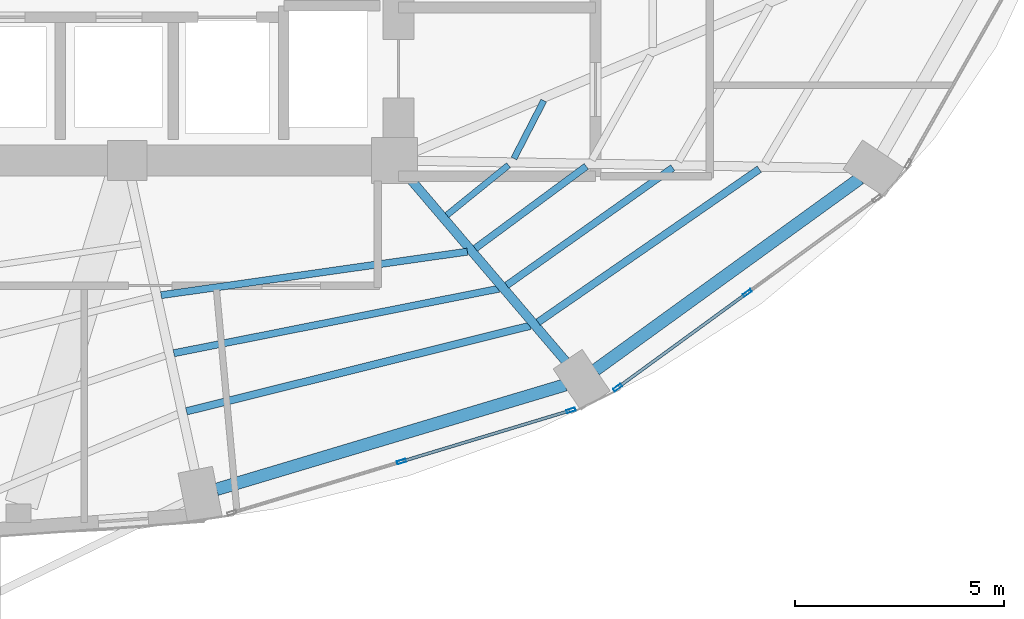
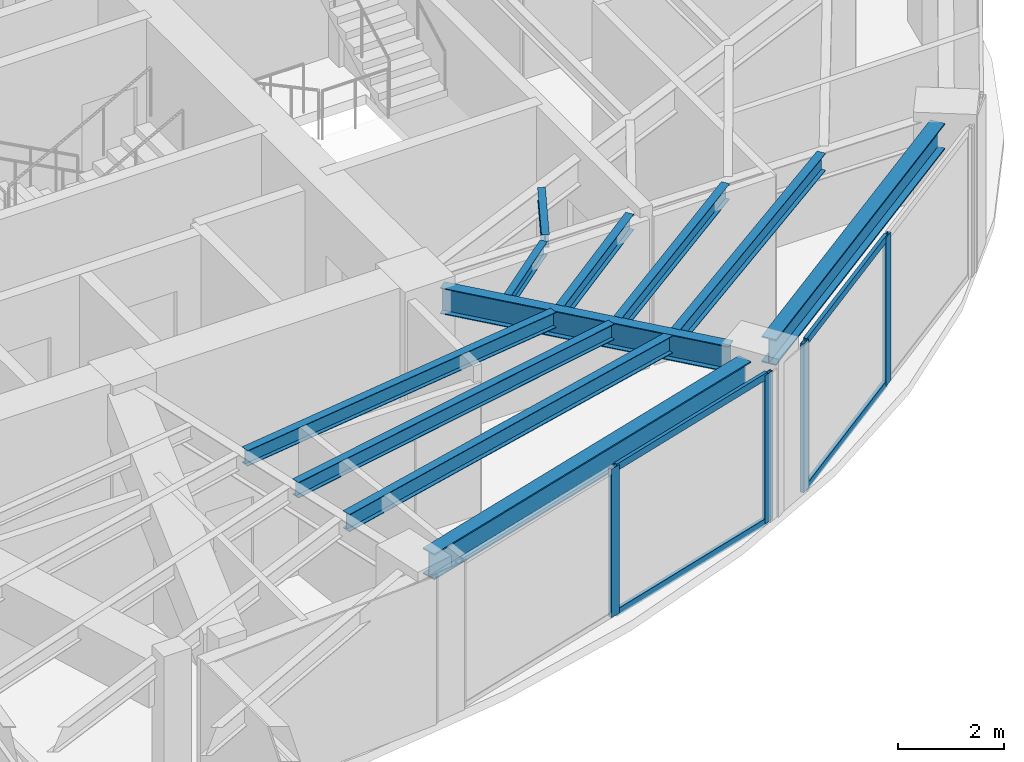
# One storey, part 11 of 24: 11 beams, 8 members, 2 elements without a shape of their own.
"""IFC4 building model written with IfcOpenShell, lengths in metres."""

from ifc_helpers import new_model, si_unit, direction, frame, origin, origin_2d, place, context, subcontext, project, spatial, hollow_rectangle, i_section, extrude, material, layer, layer_set, material_profile, profile_set, type_object, element, aggregate, save


model = new_model("IFC4")

# Units and contexts
model_context = context("Model", 3, precision=1e-05, world=origin(), true_north=direction((0.0, 1.0)))
body_context = subcontext(model_context, "Body", "Model", "MODEL_VIEW")
ifc_project = project(units=[si_unit("LENGTHUNIT", "METRE"), si_unit("AREAUNIT", "SQUARE_METRE"), si_unit("VOLUMEUNIT", "CUBIC_METRE"), si_unit("PLANEANGLEUNIT", "RADIAN"), si_unit("MASSUNIT", "GRAM", prefix="KILO")], contexts=[model_context])

# Site, building, storey
site_placement = place(None, origin())
site = spatial("IfcSite", under=ifc_project, at=site_placement, CompositionType="ELEMENT")
building_placement = place(site_placement, origin())
building = spatial("IfcBuilding", under=site, at=building_placement, Name="Lazwardi Medical Tower", CompositionType="ELEMENT")
storey_placement = place(building_placement, frame((0.0, 0.0, 110.927978515625)))
storey = spatial("IfcBuildingStorey", under=building, at=storey_placement, Name="L28", CompositionType="ELEMENT", Elevation=110.927978515625)

# Beams
ifc_material_1 = material(Name="Steel S355", Category="steel")
ifc_material_profile_1 = material_profile(ifc_material_1, i_section(OverallWidth=0.300048828125, OverallDepth=0.60009765625, WebThickness=0.015380859375, FlangeThickness=0.030029296875, at=origin_2d()), Name="HEB 600")
ifc_profile_set_1 = profile_set([ifc_material_profile_1], Name="Steel S355")
beam_type_1 = type_object("IfcBeamType", Name="BM-RB-Z2", PredefinedType="BEAM", material=ifc_profile_set_1)
beam_1_placement = place(storey_placement, frame((41.338134765625, 12.5205078125, 3.1279296875), z_axis=(0.957879438442, 0.287170648587, 0.0), x_axis=(-0.287170648587, 0.957879438442, 0.0)))
element("IfcBeam", 1, at=beam_1_placement, inside=storey, type_object=beam_type_1, Name="Ring beam RB-03 B01 L28", PredefinedType="BEAM", context=body_context, shape_type="SweptSolid", body=[
    extrude(i_section(OverallWidth=0.300048828125, OverallDepth=0.60009765625, WebThickness=0.015380859375, FlangeThickness=0.030029296875, at=origin_2d()), origin(), (0.0, 0.0, 1.0), 8.719970703125),
])
beam_2_placement = place(storey_placement, frame((50.415771484375, 15.3828125, 3.1279296875), z_axis=(0.810041907649, 0.586371987609, 0.0), x_axis=(-0.586371987609, 0.810041907649, 0.0)))
element("IfcBeam", 2, at=beam_2_placement, inside=storey, type_object=beam_type_1, Name="Ring beam RB-03 B02 L28", PredefinedType="BEAM", context=body_context, shape_type="SweptSolid", body=[
    extrude(i_section(OverallWidth=0.300048828125, OverallDepth=0.60009765625, WebThickness=0.015380859375, FlangeThickness=0.030029296875, at=origin_2d()), origin(), (0.0, 0.0, 1.0), 7.814208984375),
])
ifc_material_profile_2 = material_profile(ifc_material_1, i_section(OverallWidth=0.219970703125, OverallDepth=0.60009765625, WebThickness=0.011962890625, FlangeThickness=0.01904296875, at=origin_2d()), Name="IPE 600")
ifc_profile_set_2 = profile_set([ifc_material_profile_2], Name="Steel S355")
beam_type_2 = type_object("IfcBeamType", Name="BM-RG-W1", PredefinedType="BEAM", material=ifc_profile_set_2)
beam_3_placement = place(storey_placement, frame((49.707275390625, 15.583740234375, 3.1279296875), z_axis=(-0.648870567436, 0.760898801889, 0.0), x_axis=(-0.760898801889, -0.648870567436, 0.0)))
element("IfcBeam", 3, at=beam_3_placement, inside=storey, type_object=beam_type_2, Name="Radial girder RG-02 R02 L28", PredefinedType="BEAM", context=body_context, shape_type="SweptSolid", body=[
    extrude(i_section(OverallWidth=0.219970703125, OverallDepth=0.60009765625, WebThickness=0.011962890625, FlangeThickness=0.01904296875, at=origin_2d()), origin(), (0.0, 0.0, 1.0), 5.794677734375),
])
ifc_material_profile_3 = material_profile(ifc_material_1, i_section(OverallWidth=0.179931640625, OverallDepth=0.39990234375, WebThickness=0.008544921875, FlangeThickness=0.013427734375, at=origin_2d()), Name="IPE 400")
ifc_profile_set_3 = profile_set([ifc_material_profile_3], Name="Steel S355")
beam_type_3 = type_object("IfcBeamType", Name="BM-SJ-01", PredefinedType="JOIST", material=ifc_profile_set_3)
beam_4_placement = place(storey_placement, frame((40.618896484375, 14.390869140625, 3.22802734375), z_axis=(0.970400881943, 0.241499748081, 0.0), x_axis=(-0.241499748081, 0.970400881943, 0.0)))
element("IfcBeam", 4, at=beam_4_placement, inside=storey, type_object=beam_type_3, Name="Secondary joist SJ-01 R1 B01 L28", PredefinedType="JOIST", context=body_context, shape_type="SweptSolid", body=[
    extrude(i_section(OverallWidth=0.179931640625, OverallDepth=0.39990234375, WebThickness=0.008544921875, FlangeThickness=0.013427734375, at=origin_2d()), origin(), (0.0, 0.0, 1.0), 8.48583984375),
])
beam_5_placement = place(storey_placement, frame((49.04150390625, 16.525390625, 3.22802734375), z_axis=(0.822376339068, 0.568943896128, 0.0), x_axis=(-0.568943896128, 0.822376339068, 0.0)))
element("IfcBeam", 5, at=beam_5_placement, inside=storey, type_object=beam_type_3, Name="Secondary joist SJ-01 R1 B02 L28", PredefinedType="JOIST", context=body_context, shape_type="SweptSolid", body=[
    extrude(i_section(OverallWidth=0.179931640625, OverallDepth=0.39990234375, WebThickness=0.008544921875, FlangeThickness=0.013427734375, at=origin_2d()), origin(), (0.0, 0.0, 1.0), 6.44189453125),
])
ifc_material_profile_4 = material_profile(ifc_material_1, i_section(OverallWidth=0.169921875, OverallDepth=0.360107421875, WebThickness=0.008056640625, FlangeThickness=0.0126953125, at=origin_2d()), Name="IPE 360")
ifc_profile_set_4 = profile_set([ifc_material_profile_4], Name="Steel S355")
beam_type_4 = type_object("IfcBeamType", Name="BM-SJ-02", PredefinedType="JOIST", material=ifc_profile_set_4)
beam_6_placement = place(storey_placement, frame((40.315185546875, 15.7822265625, 3.248046875), z_axis=(0.980878853282, 0.194619308352, 0.0), x_axis=(-0.194619308352, 0.980878853282, 0.0)))
element("IfcBeam", 6, at=beam_6_placement, inside=storey, type_object=beam_type_4, Name="Secondary joist SJ-02 R2 B01 L28", PredefinedType="JOIST", context=body_context, shape_type="SweptSolid", body=[
    extrude(i_section(OverallWidth=0.169921875, OverallDepth=0.360107421875, WebThickness=0.008056640625, FlangeThickness=0.0126953125, at=origin_2d()), origin(), (0.0, 0.0, 1.0), 7.93701171875),
])
beam_7_placement = place(storey_placement, frame((48.2890625, 17.408203125, 3.248046875), z_axis=(0.816156371539, 0.577831097464, 0.0), x_axis=(-0.577831097464, 0.816156371539, 0.0)))
element("IfcBeam", 7, at=beam_7_placement, inside=storey, type_object=beam_type_4, Name="Secondary joist SJ-02 R2 B02 L28", PredefinedType="JOIST", context=body_context, shape_type="SweptSolid", body=[
    extrude(i_section(OverallWidth=0.169921875, OverallDepth=0.360107421875, WebThickness=0.008056640625, FlangeThickness=0.0126953125, at=origin_2d()), origin(), (0.0, 0.0, 1.0), 4.8740234375),
])
beam_8_placement = place(storey_placement, frame((40.011474609375, 17.1728515625, 3.248046875), z_axis=(0.990067108571, 0.140595592128, 0.0), x_axis=(-0.140595592128, 0.990067108571, 0.0)))
element("IfcBeam", 8, at=beam_8_placement, inside=storey, type_object=beam_type_4, Name="Secondary joist SJ-02 R3 B01 L28", PredefinedType="JOIST", context=body_context, shape_type="SweptSolid", body=[
    extrude(i_section(OverallWidth=0.169921875, OverallDepth=0.360107421875, WebThickness=0.008056640625, FlangeThickness=0.0126953125, at=origin_2d()), origin(), (0.0, 0.0, 1.0), 7.409423828125),
])
beam_9_placement = place(storey_placement, frame((47.53564453125, 18.291748046875, 3.248046875), z_axis=(0.804125525058, 0.594459536008, 0.0), x_axis=(-0.594459536008, 0.804125525058, 0.0)))
element("IfcBeam", 9, at=beam_9_placement, inside=storey, type_object=beam_type_4, Name="Secondary joist SJ-02 R3 B02 L28", PredefinedType="JOIST", context=body_context, shape_type="SweptSolid", body=[
    extrude(i_section(OverallWidth=0.169921875, OverallDepth=0.360107421875, WebThickness=0.008056640625, FlangeThickness=0.0126953125, at=origin_2d()), origin(), (0.0, 0.0, 1.0), 3.30810546875),
])
ifc_material_profile_5 = material_profile(ifc_material_1, i_section(OverallWidth=0.14990234375, OverallDepth=0.300048828125, WebThickness=0.007080078125, FlangeThickness=0.0107421875, at=origin_2d()), Name="IPE 300")
ifc_profile_set_5 = profile_set([ifc_material_profile_5], Name="Steel S355")
beam_type_5 = type_object("IfcBeamType", Name="BM-SJ-03", PredefinedType="JOIST", material=ifc_profile_set_5)
beam_10_placement = place(storey_placement, frame((46.85595703125, 19.089111328125, 3.278076171875), z_axis=(0.77695773322, 0.629552762515, 0.0), x_axis=(-0.629552762515, 0.77695773322, 0.0)))
element("IfcBeam", 10, at=beam_10_placement, inside=storey, type_object=beam_type_5, Name="Secondary joist SJ-03 R4 B02 L28", PredefinedType="JOIST", context=body_context, shape_type="SweptSolid", body=[
    extrude(i_section(OverallWidth=0.14990234375, OverallDepth=0.300048828125, WebThickness=0.007080078125, FlangeThickness=0.0107421875, at=origin_2d()), origin(), (0.0, 0.0, 1.0), 1.9013671875),
])
beam_11_placement = place(storey_placement, frame((48.462890625, 20.445556640625, 3.278076171875), z_axis=(0.457956589674, 0.888974556427, 0.0), x_axis=(-0.888974556427, 0.457956589674, 0.0)))
element("IfcBeam", 11, at=beam_11_placement, inside=storey, type_object=beam_type_5, Name="Secondary joist SJ-03 R4 B03 L28", PredefinedType="JOIST", context=body_context, shape_type="SweptSolid", body=[
    extrude(i_section(OverallWidth=0.14990234375, OverallDepth=0.300048828125, WebThickness=0.007080078125, FlangeThickness=0.0107421875, at=origin_2d()), origin(), (0.0, 0.0, 1.0), 1.558837890625),
])

# Curtain wall, members
ifc_material_2 = material(Name="Anodised bronze aluminium and solar control glazing", Category="aluminium")
ifc_layer = layer(ifc_material_2, 0.195068359375)
ifc_layer_set = layer_set([ifc_layer], Name="Anodised bronze aluminium and solar control glazing")
curtain_wall_type = type_object("IfcCurtainWallType", Name="CW-SYS-03", PredefinedType="NOTDEFINED", material=ifc_layer_set)
curtain_wall_1_placement = place(storey_placement, origin())
curtain_wall_1 = element("IfcCurtainWall", 12, at=curtain_wall_1_placement, inside=storey, type_object=curtain_wall_type, Name="L28 Unitised bronze curtain wall CW-03", PredefinedType="NOTDEFINED")
ifc_material_3 = material(Name="Anodised bronze aluminium", Category="aluminium")
ifc_material_profile_6 = material_profile(ifc_material_3, hollow_rectangle(XDim=0.074951171875, YDim=0.219970703125, WallThickness=0.00390625, at=origin_2d()), Name="ALU-MULLION 220x75x4")
ifc_profile_set_6 = profile_set([ifc_material_profile_6], Name="Anodised bronze aluminium")
member_type_1 = type_object("IfcMemberType", Name="CW-MUL-01", PredefinedType="MULLION", material=ifc_profile_set_6)
member_1_placement = place(storey_placement, frame((45.769287109375, 13.18701171875, 0.0), z_axis=(0.0, 0.0, 1.0), x_axis=(-0.28937381157, 0.957216170558, 0.0)))
member_1 = element("IfcMember", 13, at=member_1_placement, type_object=member_type_1, Name="CW-03 mullion 2", PredefinedType="MULLION", context=body_context, shape_type="SweptSolid", body=[
    extrude(hollow_rectangle(XDim=0.074951171875, YDim=0.219970703125, WallThickness=0.00390625, at=origin_2d()), origin(), (0.0, 0.0, 1.0), 3.427978515625),
])
member_2_placement = place(storey_placement, frame((49.828369140625, 14.4140625, 0.0), z_axis=(0.0, 0.0, 1.0), x_axis=(-0.28937381157, 0.957216170558, 0.0)))
member_2 = element("IfcMember", 14, at=member_2_placement, type_object=member_type_1, Name="CW-03 mullion 3", PredefinedType="MULLION", context=body_context, shape_type="SweptSolid", body=[
    extrude(hollow_rectangle(XDim=0.074951171875, YDim=0.219970703125, WallThickness=0.00390625, at=origin_2d()), origin(), (0.0, 0.0, 1.0), 3.427978515625),
])

curtain_wall_2_placement = place(storey_placement, origin())
curtain_wall_2 = element("IfcCurtainWall", 15, at=curtain_wall_2_placement, inside=storey, type_object=curtain_wall_type, Name="L28 Unitised bronze curtain wall CW-03", PredefinedType="NOTDEFINED")
member_3_placement = place(storey_placement, frame((50.947265625, 14.96044921875, 0.0), z_axis=(0.0, 0.0, 1.0), x_axis=(-0.589530882802, 0.807745837639, 0.0)))
member_3 = element("IfcMember", 16, at=member_3_placement, type_object=member_type_1, Name="CW-03 mullion 1", PredefinedType="MULLION", context=body_context, shape_type="SweptSolid", body=[
    extrude(hollow_rectangle(XDim=0.074951171875, YDim=0.219970703125, WallThickness=0.00390625, at=origin_2d()), origin(), (0.0, 0.0, 1.0), 3.427978515625),
])
member_4_placement = place(storey_placement, frame((54.051025390625, 17.225830078125, 0.0), z_axis=(0.0, 0.0, 1.0), x_axis=(-0.589530882802, 0.807745837639, 0.0)))
member_4 = element("IfcMember", 17, at=member_4_placement, type_object=member_type_1, Name="CW-03 mullion 2", PredefinedType="MULLION", context=body_context, shape_type="SweptSolid", body=[
    extrude(hollow_rectangle(XDim=0.074951171875, YDim=0.219970703125, WallThickness=0.00390625, at=origin_2d()), origin(), (0.0, 0.0, 1.0), 3.427978515625),
])

# Member
ifc_material_profile_7 = material_profile(ifc_material_3, hollow_rectangle(XDim=0.074951171875, YDim=0.159912109375, WallThickness=0.00390625, at=origin_2d()), Name="ALU-TRANSOM 160x75x4")
ifc_profile_set_7 = profile_set([ifc_material_profile_7], Name="Anodised bronze aluminium")
member_type_2 = type_object("IfcMemberType", Name="CW-TRN-01", PredefinedType="USERDEFINED", material=ifc_profile_set_7)
member_5_placement = place(storey_placement, frame((45.80517578125, 13.19775390625, 0.03759765625), z_axis=(0.957220865985, 0.289358279168, 0.0), x_axis=(-0.289358279168, 0.957220865985, 0.0)))
member_5 = element("IfcMember", 18, at=member_5_placement, type_object=member_type_2, Name="CW-03 transom 2.1", ObjectType="TRANSOM", PredefinedType="USERDEFINED", context=body_context, shape_type="SweptSolid", body=[
    extrude(hollow_rectangle(XDim=0.074951171875, YDim=0.159912109375, WallThickness=0.00390625, at=origin_2d()), origin(), (0.0, 0.0, 1.0), 4.16552734375),
])

member_6_placement = place(storey_placement, frame((45.80517578125, 13.19775390625, 3.390625), z_axis=(0.957220865985, 0.289358279168, 0.0), x_axis=(-0.289358279168, 0.957220865985, 0.0)))
member_6 = element("IfcMember", 19, at=member_6_placement, type_object=member_type_2, Name="CW-03 transom 2.2", ObjectType="TRANSOM", PredefinedType="USERDEFINED", context=body_context, shape_type="SweptSolid", body=[
    extrude(hollow_rectangle(XDim=0.074951171875, YDim=0.159912109375, WallThickness=0.00390625, at=origin_2d()), origin(), (0.0, 0.0, 1.0), 4.16552734375),
])

aggregate(curtain_wall_1, [member_1, member_2, member_5, member_6])

member_7_placement = place(storey_placement, frame((50.9775390625, 14.982421875, 0.03759765625), z_axis=(0.807731734271, 0.589550206049, 0.0), x_axis=(-0.589550206049, 0.807731734271, 0.0)))
member_7 = element("IfcMember", 20, at=member_7_placement, type_object=member_type_2, Name="CW-03 transom 1.1", ObjectType="TRANSOM", PredefinedType="USERDEFINED", context=body_context, shape_type="SweptSolid", body=[
    extrude(hollow_rectangle(XDim=0.074951171875, YDim=0.159912109375, WallThickness=0.00390625, at=origin_2d()), origin(), (0.0, 0.0, 1.0), 3.767578125),
])

member_8_placement = place(storey_placement, frame((50.9775390625, 14.982421875, 3.390625), z_axis=(0.807731734271, 0.589550206049, 0.0), x_axis=(-0.589550206049, 0.807731734271, 0.0)))
member_8 = element("IfcMember", 21, at=member_8_placement, type_object=member_type_2, Name="CW-03 transom 1.2", ObjectType="TRANSOM", PredefinedType="USERDEFINED", context=body_context, shape_type="SweptSolid", body=[
    extrude(hollow_rectangle(XDim=0.074951171875, YDim=0.159912109375, WallThickness=0.00390625, at=origin_2d()), origin(), (0.0, 0.0, 1.0), 3.767578125),
])

aggregate(curtain_wall_2, [member_3, member_4, member_7, member_8])

save(model, "model.ifc")
